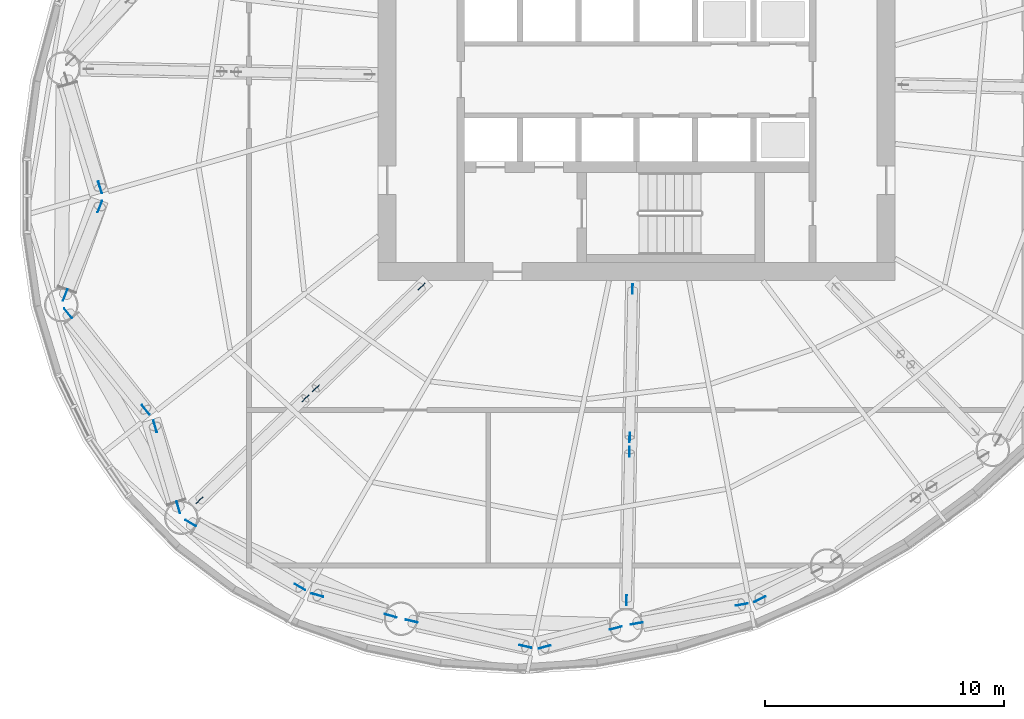
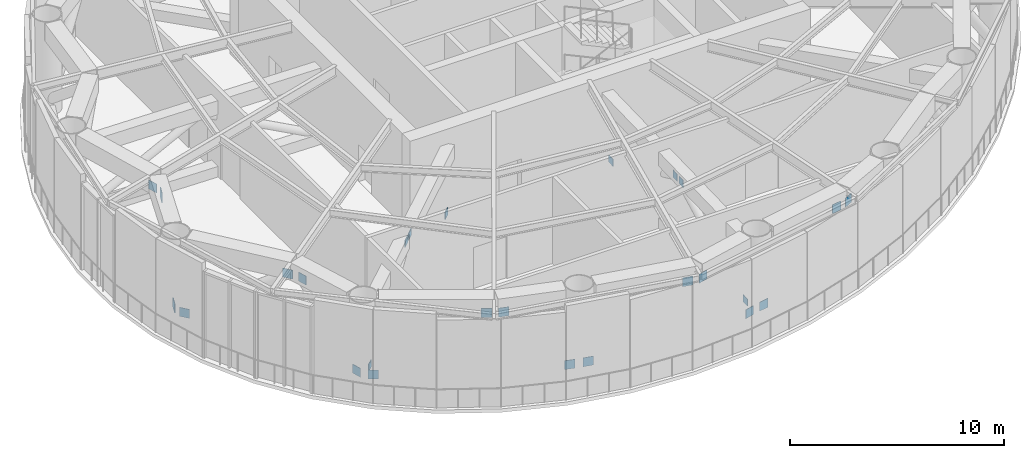
# One storey, part 11 of 19: 26 discrete accessories.
"""IFC4 building model written with IfcOpenShell, lengths in metres."""

from ifc_helpers import new_model, si_unit, direction, frame, origin, origin_2d, place, context, subcontext, project, spatial, rectangle, extrude, element, save


model = new_model("IFC4")

# Units and contexts
model_context = context("Model", 3, precision=1e-05, world=origin(), true_north=direction((0.0, 1.0)))
body_context = subcontext(model_context, "Body", "Model", "MODEL_VIEW")
ifc_project = project(units=[si_unit("LENGTHUNIT", "METRE"), si_unit("AREAUNIT", "SQUARE_METRE"), si_unit("VOLUMEUNIT", "CUBIC_METRE"), si_unit("PLANEANGLEUNIT", "RADIAN"), si_unit("MASSUNIT", "GRAM", prefix="KILO")], contexts=[model_context])

# Site, building, storey
site_placement = place(None, origin())
site = spatial("IfcSite", under=ifc_project, at=site_placement, CompositionType="ELEMENT")
building_placement = place(site_placement, origin())
building = spatial("IfcBuilding", under=site, at=building_placement, Name="Vermilion Reach Broadcast Tower", CompositionType="ELEMENT")
storey_placement = place(building_placement, frame((0.0, 0.0, 190.199951171875)))
storey = spatial("IfcBuildingStorey", under=building, at=storey_placement, Name="L46", CompositionType="ELEMENT", Elevation=190.199951171875)

# Discrete accessories
for number, where, z_axis, x_axis, name in (
    (1, (-28.42041015625, -4.50146484375, 4.0859375), (0.0, 0.0, 1.0), (0.955176844678, 0.296035800859, 0.0), "Gusset plate BT3-D07A head"),
    (2, (-29.876220703125, -8.99755859375, 0.5458984375), (0.0, 0.0, 1.0), (-0.930994277997, 0.365033771501, 0.0), "Gusset plate BT3-D07B foot"),
    (3, (-28.427001953125, -5.301513671875, 4.0859375), (0.0, 0.0, 1.0), (-0.930994277997, 0.365033771501, 0.0), "Gusset plate BT3-D07B head"),
    (4, (-29.758056640625, -9.766845703125, 0.5458984375), (0.0, 0.0, 1.0), (0.778441820178, 0.627716761444, 0.0), "Gusset plate BT3-D08A foot"),
    (5, (-26.5146484375, -13.788818359375, 4.0859375), (0.0, 0.0, 1.0), (0.778441820178, 0.627716761444, 0.0), "Gusset plate BT3-D08A head"),
    (6, (-25.150146484375, -17.8701171875, 0.5458984375), (0.0, 0.0, 1.0), (-0.961187067676, -0.275897482648, 0.0), "Gusset plate BT3-D08B foot"),
    (7, (-26.12158203125, -14.485595703125, 4.0859375), (0.0, 0.0, 1.0), (-0.961187067676, -0.275897482648, 0.0), "Gusset plate BT3-D08B head"),
    (8, (-24.637451171875, -18.52978515625, 0.5458984375), (0.0, 0.0, 1.0), (0.504849257901, 0.86320752244, 0.0), "Gusset plate BT3-D09A foot"),
    (9, (-20.06689453125, -21.202880859375, 4.0859375), (0.0, 0.0, 1.0), (0.504849257901, 0.86320752244, 0.0), "Gusset plate BT3-D09A head"),
    (10, (-16.2783203125, -22.40185546875, 0.5458984375), (0.0, 0.0, 1.0), (-0.271773120049, -0.962361351686, 0.0), "Gusset plate BT3-D09B foot"),
    (11, (-19.340087890625, -21.537109375, 4.0859375), (0.0, 0.0, 1.0), (-0.271773120049, -0.962361351686, 0.0), "Gusset plate BT3-D09B head"),
    (12, (-15.406005859375, -22.621826171875, 0.5458984375), (0.0, 0.0, 1.0), (0.217054528288, 0.976159480695, 0.0), "Gusset plate BT3-D10A foot"),
    (13, (-10.649658203125, -23.679443359375, 4.0859375), (0.0, 0.0, 1.0), (0.217054528288, 0.976159480695, 0.0), "Gusset plate BT3-D10A head"),
    (14, (-6.876708984375, -22.915283203125, 0.5458984375), (0.0, 0.0, 1.0), (0.256063384529, -0.966659993536, 0.0), "Gusset plate BT3-D10B foot"),
    (15, (-9.85009765625, -23.702880859375, 4.0859375), (0.0, 0.0, 1.0), (0.256063384529, -0.966659993536, 0.0), "Gusset plate BT3-D10B head"),
    (16, (-5.998779296875, -22.720458984375, 0.5458984375), (0.0, 0.0, 1.0), (-0.176787643537, 0.984249017827, 0.0), "Gusset plate BT3-D11A foot"),
    (17, (-1.6142578125, -21.932861328125, 4.0859375), (0.0, 0.0, 1.0), (-0.176787643537, 0.984249017827, 0.0), "Gusset plate BT3-D11A head"),
    (18, (-0.847412109375, -21.70458984375, 4.0859375), (0.0, 0.0, 1.0), (0.448300471679, -0.89388292695, 0.0), "Gusset plate BT3-D11B head"),
):
    element("IfcDiscreteAccessory", number, at=place(storey_placement, frame(where, z_axis=z_axis, x_axis=x_axis)), inside=storey, Name=name, PredefinedType="NOTDEFINED", context=body_context, shape_type="SweptSolid", body=[
        extrude(rectangle(XDim=0.02490234375, YDim=0.508056640625, at=origin_2d()), origin(), (0.0, 0.0, 1.0), 0.508056640625),
    ])
for number, where, z_axis, x_axis, name in (
    (19, (-14.984130859375, -8.642578125, 0.39697265625), (0.0, 0.0, 1.0), (0.693276060614, -0.720672119468, 0.0), "Gusset plate OR3-09-DA foot"),
    (20, (-19.410400390625, -12.900634765625, 3.34716796875), (0.0, 0.0, 1.0), (0.693276060614, -0.720672119468, 0.0), "Gusset plate OR3-09-DA head"),
    (21, (-24.269287109375, -17.57470703125, 0.39697265625), (0.0, 0.0, 1.0), (0.693276060614, -0.720672119468, 0.0), "Gusset plate OR3-09-DB foot"),
    (22, (-19.8427734375, -13.316650390625, 3.34716796875), (0.0, 0.0, 1.0), (0.693276060614, -0.720672119468, 0.0), "Gusset plate OR3-09-DB head"),
    (23, (-6.16943359375, -8.75, 0.39697265625), (0.0, 0.0, 1.0), (0.999812346501, -0.019371932921, 0.0), "Gusset plate OR3-11-DA foot"),
    (24, (-6.28955078125, -14.9501953125, 3.34716796875), (0.0, 0.0, 1.0), (0.999812346501, -0.019371932921, 0.0), "Gusset plate OR3-11-DA head"),
    (25, (-6.42138671875, -21.750244140625, 0.39697265625), (0.0, 0.0, 1.0), (0.999812346501, -0.019371932921, 0.0), "Gusset plate OR3-11-DB foot"),
    (26, (-6.30126953125, -15.550048828125, 3.34716796875), (0.0, 0.0, 1.0), (0.999812346501, -0.019371932921, 0.0), "Gusset plate OR3-11-DB head"),
):
    element("IfcDiscreteAccessory", number, at=place(storey_placement, frame(where, z_axis=z_axis, x_axis=x_axis)), inside=storey, Name=name, PredefinedType="NOTDEFINED", context=body_context, shape_type="SweptSolid", body=[
        extrude(rectangle(XDim=0.02490234375, YDim=0.406005859375, at=origin_2d()), origin(), (0.0, 0.0, 1.0), 0.406005859375),
    ])

save(model, "model.ifc")
